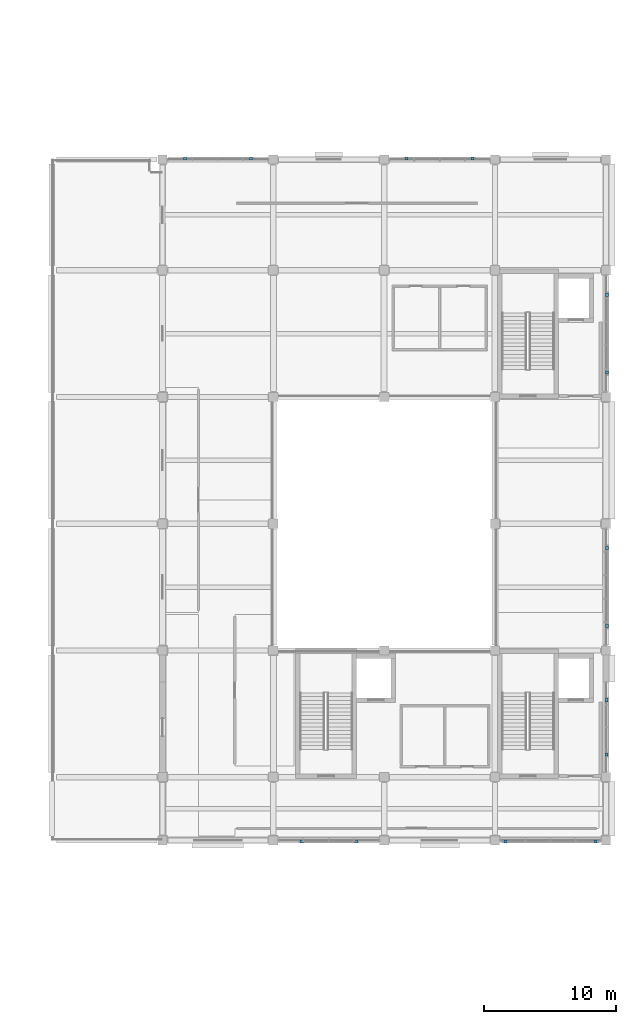
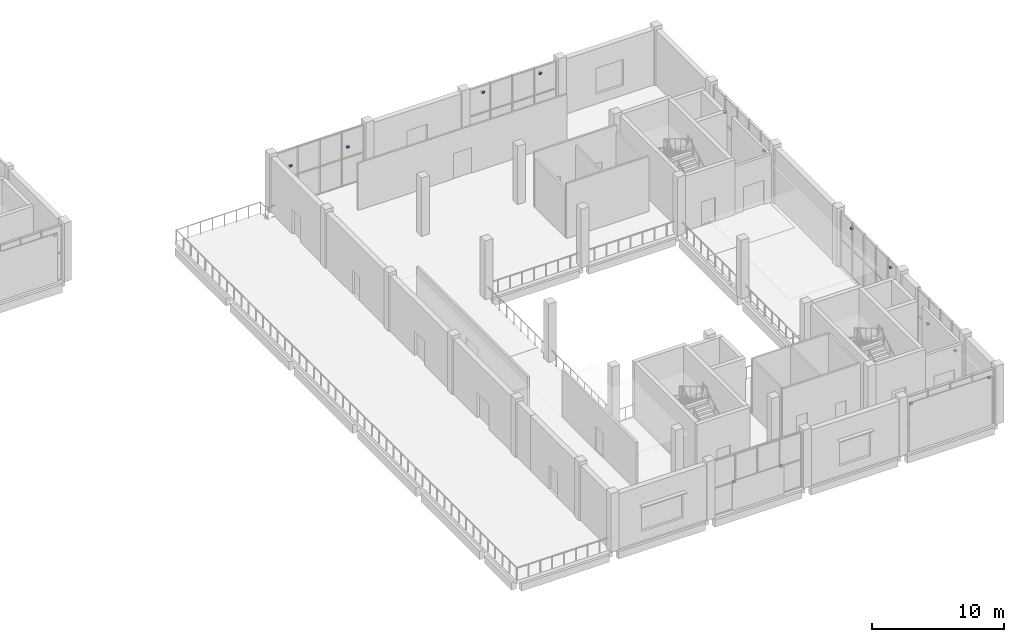
# One storey, part 67 of 83: 14 discrete accessories.
"""IFC4 building model written with IfcOpenShell, lengths in metres."""

from ifc_helpers import new_model, si_unit, direction, frame, origin, origin_2d, place, context, subcontext, project, spatial, rectangle, extrude, material, type_object, element, save


model = new_model("IFC4")

# Units and contexts
model_context = context("Model", 3, precision=1e-05, world=origin(), true_north=direction((0.0, 1.0)))
body_context = subcontext(model_context, "Body", "Model", "MODEL_VIEW")
ifc_project = project(units=[si_unit("LENGTHUNIT", "METRE"), si_unit("AREAUNIT", "SQUARE_METRE"), si_unit("VOLUMEUNIT", "CUBIC_METRE"), si_unit("PLANEANGLEUNIT", "RADIAN"), si_unit("MASSUNIT", "GRAM", prefix="KILO")], contexts=[model_context])

# Site, building, storey
site_placement = place(None, origin())
site = spatial("IfcSite", under=ifc_project, at=site_placement, CompositionType="ELEMENT")
building_placement = place(site_placement, origin())
building = spatial("IfcBuilding", under=site, at=building_placement, Name="Shalvenor Court Art Gallery", CompositionType="ELEMENT")
storey_placement = place(building_placement, frame((0.0, 0.0, 6.0)))
storey = spatial("IfcBuildingStorey", under=building, at=storey_placement, Name="L01", CompositionType="ELEMENT", Elevation=6.0)

# Discrete accessories
ifc_material = material(Name="Stainless steel anchor bracket", Category="steel")
discrete_accessory_type = type_object("IfcDiscreteAccessoryType", Name="BRK-01", PredefinedType="BRACKET", material=ifc_material)
for number, where, z_axis, x_axis, name in (
    (1, (144.5, 97.256591796875, 3.3701171875), (0.0, 0.0, 1.0), (1.0, 0.0, 0.0), "L01 Lattice Anchor Bracket 5"),
    (2, (149.5, 97.256591796875, 3.3701171875), (0.0, 0.0, 1.0), (1.0, 0.0, 0.0), "L01 Lattice Anchor Bracket 6"),
    (3, (161.300048828125, 97.2666015625, 4.27001953125), (0.0, 0.0, 1.0), (1.0, 0.0, 0.0), "L01 Lattice Anchor Bracket 7"),
    (4, (166.300048828125, 97.2666015625, 4.27001953125), (0.0, 0.0, 1.0), (1.0, 0.0, 0.0), "L01 Lattice Anchor Bracket 8"),
    (5, (176.471435546875, 86.949951171875, 3.3701171875), (0.0, 0.0, 1.0), (0.0, -1.0, 0.0), "L01 Lattice Anchor Bracket 9"),
    (6, (176.471435546875, 81.050048828125, 3.3701171875), (0.0, 0.0, 1.0), (0.0, -1.0, 0.0), "L01 Lattice Anchor Bracket 10"),
    (7, (176.4765625, 67.75, 4.27001953125), (0.0, 0.0, 1.0), (0.0, -1.0, 0.0), "L01 Lattice Anchor Bracket 11"),
    (8, (176.4765625, 61.85009765625, 4.27001953125), (0.0, 0.0, 1.0), (0.0, -1.0, 0.0), "L01 Lattice Anchor Bracket 12"),
    (9, (176.45654296875, 56.22509765625, 2.47021484375), (0.0, 0.0, 1.0), (0.0, -1.0, 0.0), "L01 Lattice Anchor Bracket 13"),
    (10, (176.45654296875, 52.125, 2.47021484375), (0.0, 0.0, 1.0), (0.0, -1.0, 0.0), "L01 Lattice Anchor Bracket 14"),
    (11, (175.60009765625, 45.533447265625, 4.27001953125), (0.0, 0.0, 1.0), (-1.0, 0.0, 0.0), "L01 Lattice Anchor Bracket 15"),
    (12, (168.800048828125, 45.533447265625, 4.27001953125), (0.0, 0.0, 1.0), (-1.0, 0.0, 0.0), "L01 Lattice Anchor Bracket 16"),
    (13, (157.449951171875, 45.528564453125, 2.47021484375), (0.0, 0.0, 1.0), (-1.0, 0.0, 0.0), "L01 Lattice Anchor Bracket 17"),
    (14, (153.35009765625, 45.528564453125, 2.47021484375), (0.0, 0.0, 1.0), (-1.0, 0.0, 0.0), "L01 Lattice Anchor Bracket 18"),
):
    element("IfcDiscreteAccessory", number, at=place(storey_placement, frame(where, z_axis=z_axis, x_axis=x_axis)), inside=storey, type_object=discrete_accessory_type, Name=name, PredefinedType="BRACKET", context=body_context, shape_type="SweptSolid", body=[
        extrude(rectangle(XDim=0.239990234375, YDim=0.219970703125, at=origin_2d()), origin(), (0.0, 0.0, 1.0), 0.159912109375),
    ])

save(model, "model.ifc")
